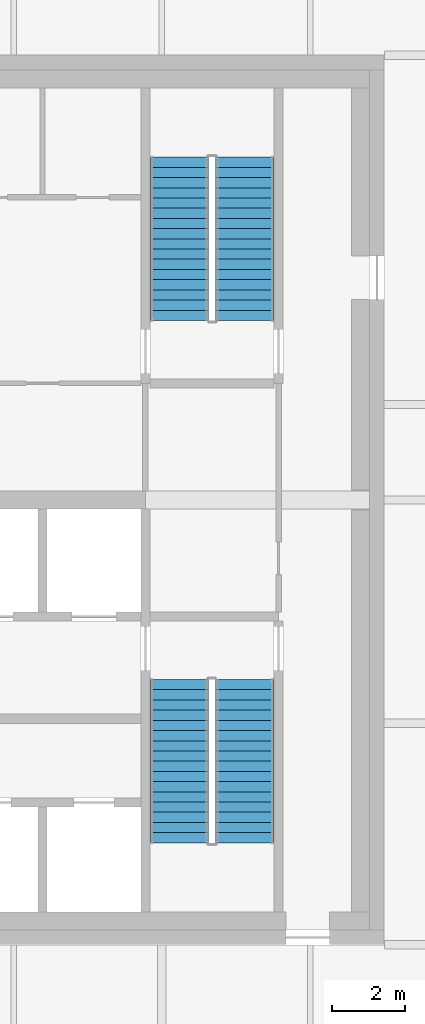
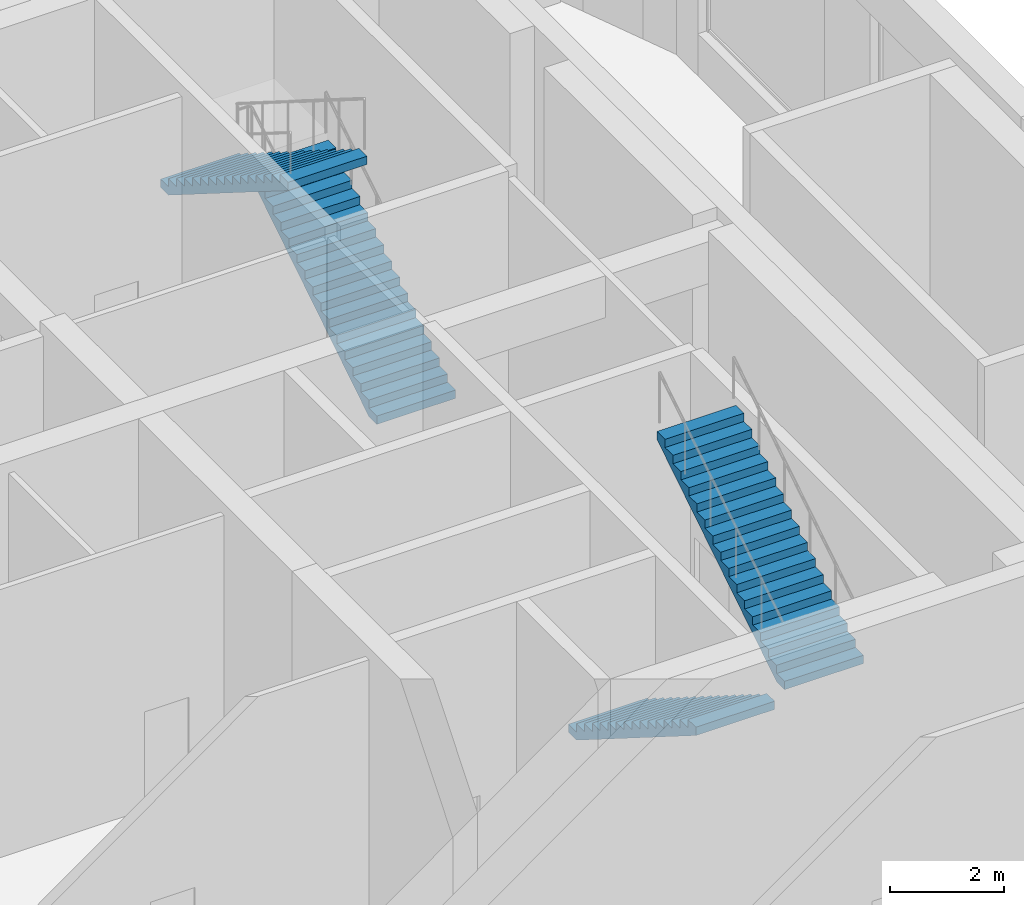
# One storey, part 17 of 19: 4 stair flights, 2 elements without a shape of their own.
"""IFC4 building model written with IfcOpenShell, lengths in metres."""

from ifc_helpers import new_model, si_unit, direction, frame, origin, place, context, subcontext, project, spatial, polyline, outline, extrude, material, type_object, element, aggregate, save


model = new_model("IFC4")

# Units and contexts
model_context = context("Model", 3, precision=1e-05, world=origin(), true_north=direction((0.0, 1.0)))
body_context = subcontext(model_context, "Body", "Model", "MODEL_VIEW")
ifc_project = project(units=[si_unit("LENGTHUNIT", "METRE"), si_unit("AREAUNIT", "SQUARE_METRE"), si_unit("VOLUMEUNIT", "CUBIC_METRE"), si_unit("PLANEANGLEUNIT", "RADIAN"), si_unit("MASSUNIT", "GRAM", prefix="KILO")], contexts=[model_context])

# Site, building, storey
site_placement = place(None, origin())
site = spatial("IfcSite", under=ifc_project, at=site_placement, CompositionType="ELEMENT")
building_placement = place(site_placement, origin())
building = spatial("IfcBuilding", under=site, at=building_placement, Name="Tessera Gate Towers", CompositionType="ELEMENT")
storey_placement = place(building_placement, frame((0.0, 0.0, 259.699951171875)))
storey = spatial("IfcBuildingStorey", under=building, at=storey_placement, Name="L65", CompositionType="ELEMENT", Elevation=259.699951171875)

# Stair, stair flights
ifc_material_1 = material(Name="Concrete C40/50", Category="concrete")
stair_type_1 = type_object("IfcStairType", Name="EXIT STAIR ST1C 1600", PredefinedType="HALF_TURN_STAIR", material=ifc_material_1)
stair_1_placement = place(storey_placement, origin())
stair_1 = element("IfcStair", 1, at=stair_1_placement, inside=storey, type_object=stair_type_1, Name="L65 Protected Exit Stair ST1", PredefinedType="HALF_TURN_STAIR")
ifc_material_2 = material(Name="Concrete C40/50", Category="concrete")
stair_flight_type_1 = type_object("IfcStairFlightType", Name="EXIT STAIR FLIGHT ST1C 1600", PredefinedType="STRAIGHT", material=ifc_material_2)
stair_flight_1_placement = place(storey_placement, frame((49.27490234375, 31.675048828125, 0.0), z_axis=(0.0, 0.0, 1.0), x_axis=(0.0, -1.0, 0.0)))
stair_flight_1 = element("IfcStairFlight", 2, at=stair_flight_1_placement, type_object=stair_flight_type_1, Name="ST1 flight 1", NumberOfRisers=17, NumberOfTreads=16, PredefinedType="STRAIGHT", RiserHeight=0.176470588, TreadLength=0.28, context=body_context, shape_type="SweptSolid", body=[
    extrude(outline(polyline([(0.0, 0.0), (0.0, 0.176513671875), (0.280029296875, 0.176513671875), (0.280029296875, 0.35302734375), (0.56005859375, 0.35302734375), (0.56005859375, 0.529296875), (0.840087890625, 0.529296875), (0.840087890625, 0.705810546875), (1.1201171875, 0.705810546875), (1.1201171875, 0.88232421875), (1.39990234375, 0.88232421875), (1.39990234375, 1.058837890625), (1.679931640625, 1.058837890625), (1.679931640625, 1.2353515625), (1.9599609375, 1.2353515625), (1.9599609375, 1.411865234375), (2.239990234375, 1.411865234375), (2.239990234375, 1.588134765625), (2.52001953125, 1.588134765625), (2.52001953125, 1.7646484375), (2.800048828125, 1.7646484375), (2.800048828125, 1.941162109375), (3.080078125, 1.941162109375), (3.080078125, 2.11767578125), (3.360107421875, 2.11767578125), (3.360107421875, 2.294189453125), (3.639892578125, 2.294189453125), (3.639892578125, 2.470703125), (3.919921875, 2.470703125), (3.919921875, 2.64697265625), (4.199951171875, 2.64697265625), (4.199951171875, 2.823486328125), (4.47998046875, 2.823486328125), (4.47998046875, 3.0), (4.47998046875, 2.646240234375), (0.28125, 0.0), (0.0, 0.0)])), frame((0.0, 0.800048828125, 0.0), z_axis=(0.0, -1.0, 0.0), x_axis=(1.0, 0.0, 0.0)), (0.0, 0.0, 1.0), 1.60009765625),
])
stair_flight_2_placement = place(storey_placement, frame((51.074951171875, 27.195068359375, 3.0), z_axis=(0.0, 0.0, 1.0), x_axis=(0.0, 1.0, 0.0)))
stair_flight_2 = element("IfcStairFlight", 3, at=stair_flight_2_placement, type_object=stair_flight_type_1, Name="ST1 flight 2", NumberOfRisers=17, NumberOfTreads=16, PredefinedType="STRAIGHT", RiserHeight=0.176470588, TreadLength=0.28, context=body_context, shape_type="SweptSolid", body=[
    extrude(outline(polyline([(0.0, 0.0), (0.0, 0.176513671875), (0.280029296875, 0.176513671875), (0.280029296875, 0.35302734375), (0.56005859375, 0.35302734375), (0.56005859375, 0.529296875), (0.840087890625, 0.529296875), (0.840087890625, 0.705810546875), (1.1201171875, 0.705810546875), (1.1201171875, 0.88232421875), (1.39990234375, 0.88232421875), (1.39990234375, 1.058837890625), (1.679931640625, 1.058837890625), (1.679931640625, 1.2353515625), (1.9599609375, 1.2353515625), (1.9599609375, 1.411865234375), (2.239990234375, 1.411865234375), (2.239990234375, 1.588134765625), (2.52001953125, 1.588134765625), (2.52001953125, 1.7646484375), (2.800048828125, 1.7646484375), (2.800048828125, 1.941162109375), (3.080078125, 1.941162109375), (3.080078125, 2.11767578125), (3.360107421875, 2.11767578125), (3.360107421875, 2.294189453125), (3.639892578125, 2.294189453125), (3.639892578125, 2.470703125), (3.919921875, 2.470703125), (3.919921875, 2.64697265625), (4.199951171875, 2.64697265625), (4.199951171875, 2.823486328125), (4.47998046875, 2.823486328125), (4.47998046875, 3.0), (4.47998046875, 2.646240234375), (0.28125, 0.0), (0.0, 0.0)])), frame((0.0, 0.800048828125, 0.0), z_axis=(0.0, -1.0, 0.0), x_axis=(1.0, 0.0, 0.0)), (0.0, 0.0, 1.0), 1.60009765625),
])
aggregate(stair_1, [stair_flight_1, stair_flight_2])

ifc_material_3 = material(Name="Concrete C40/50", Category="concrete")
stair_type_2 = type_object("IfcStairType", Name="EXIT STAIR ST2C 1600", PredefinedType="HALF_TURN_STAIR", material=ifc_material_3)
stair_2_placement = place(storey_placement, origin())
stair_2 = element("IfcStair", 4, at=stair_2_placement, inside=storey, type_object=stair_type_2, Name="L65 Protected Exit Stair ST2", PredefinedType="HALF_TURN_STAIR")
ifc_material_4 = material(Name="Concrete C40/50", Category="concrete")
stair_flight_type_2 = type_object("IfcStairFlightType", Name="EXIT STAIR FLIGHT ST2C 1600", PredefinedType="STRAIGHT", material=ifc_material_4)
stair_flight_3_placement = place(storey_placement, frame((51.074951171875, 41.52490234375, 0.0), z_axis=(0.0, 0.0, 1.0), x_axis=(0.0, 1.0, 0.0)))
stair_flight_3 = element("IfcStairFlight", 5, at=stair_flight_3_placement, type_object=stair_flight_type_2, Name="ST2 flight 1", NumberOfRisers=17, NumberOfTreads=16, PredefinedType="STRAIGHT", RiserHeight=0.176470588, TreadLength=0.28, context=body_context, shape_type="SweptSolid", body=[
    extrude(outline(polyline([(0.0, 0.0), (0.0, 0.176513671875), (0.280029296875, 0.176513671875), (0.280029296875, 0.35302734375), (0.56005859375, 0.35302734375), (0.56005859375, 0.529296875), (0.840087890625, 0.529296875), (0.840087890625, 0.705810546875), (1.1201171875, 0.705810546875), (1.1201171875, 0.88232421875), (1.39990234375, 0.88232421875), (1.39990234375, 1.058837890625), (1.679931640625, 1.058837890625), (1.679931640625, 1.2353515625), (1.9599609375, 1.2353515625), (1.9599609375, 1.411865234375), (2.239990234375, 1.411865234375), (2.239990234375, 1.588134765625), (2.52001953125, 1.588134765625), (2.52001953125, 1.7646484375), (2.800048828125, 1.7646484375), (2.800048828125, 1.941162109375), (3.080078125, 1.941162109375), (3.080078125, 2.11767578125), (3.360107421875, 2.11767578125), (3.360107421875, 2.294189453125), (3.639892578125, 2.294189453125), (3.639892578125, 2.470703125), (3.919921875, 2.470703125), (3.919921875, 2.64697265625), (4.199951171875, 2.64697265625), (4.199951171875, 2.823486328125), (4.47998046875, 2.823486328125), (4.47998046875, 3.0), (4.47998046875, 2.646240234375), (0.28125, 0.0), (0.0, 0.0)])), frame((0.0, 0.800048828125, 0.0), z_axis=(0.0, -1.0, 0.0), x_axis=(1.0, 0.0, 0.0)), (0.0, 0.0, 1.0), 1.60009765625),
])
stair_flight_4_placement = place(storey_placement, frame((49.27490234375, 46.0048828125, 3.0), z_axis=(0.0, 0.0, 1.0), x_axis=(0.0, -1.0, 0.0)))
stair_flight_4 = element("IfcStairFlight", 6, at=stair_flight_4_placement, type_object=stair_flight_type_2, Name="ST2 flight 2", NumberOfRisers=17, NumberOfTreads=16, PredefinedType="STRAIGHT", RiserHeight=0.176470588, TreadLength=0.28, context=body_context, shape_type="SweptSolid", body=[
    extrude(outline(polyline([(0.0, 0.0), (0.0, 0.176513671875), (0.280029296875, 0.176513671875), (0.280029296875, 0.35302734375), (0.56005859375, 0.35302734375), (0.56005859375, 0.529296875), (0.840087890625, 0.529296875), (0.840087890625, 0.705810546875), (1.1201171875, 0.705810546875), (1.1201171875, 0.88232421875), (1.39990234375, 0.88232421875), (1.39990234375, 1.058837890625), (1.679931640625, 1.058837890625), (1.679931640625, 1.2353515625), (1.9599609375, 1.2353515625), (1.9599609375, 1.411865234375), (2.239990234375, 1.411865234375), (2.239990234375, 1.588134765625), (2.52001953125, 1.588134765625), (2.52001953125, 1.7646484375), (2.800048828125, 1.7646484375), (2.800048828125, 1.941162109375), (3.080078125, 1.941162109375), (3.080078125, 2.11767578125), (3.360107421875, 2.11767578125), (3.360107421875, 2.294189453125), (3.639892578125, 2.294189453125), (3.639892578125, 2.470703125), (3.919921875, 2.470703125), (3.919921875, 2.64697265625), (4.199951171875, 2.64697265625), (4.199951171875, 2.823486328125), (4.47998046875, 2.823486328125), (4.47998046875, 3.0), (4.47998046875, 2.646240234375), (0.28125, 0.0), (0.0, 0.0)])), frame((0.0, 0.800048828125, 0.0), z_axis=(0.0, -1.0, 0.0), x_axis=(1.0, 0.0, 0.0)), (0.0, 0.0, 1.0), 1.60009765625),
])
aggregate(stair_2, [stair_flight_3, stair_flight_4])

save(model, "model.ifc")
